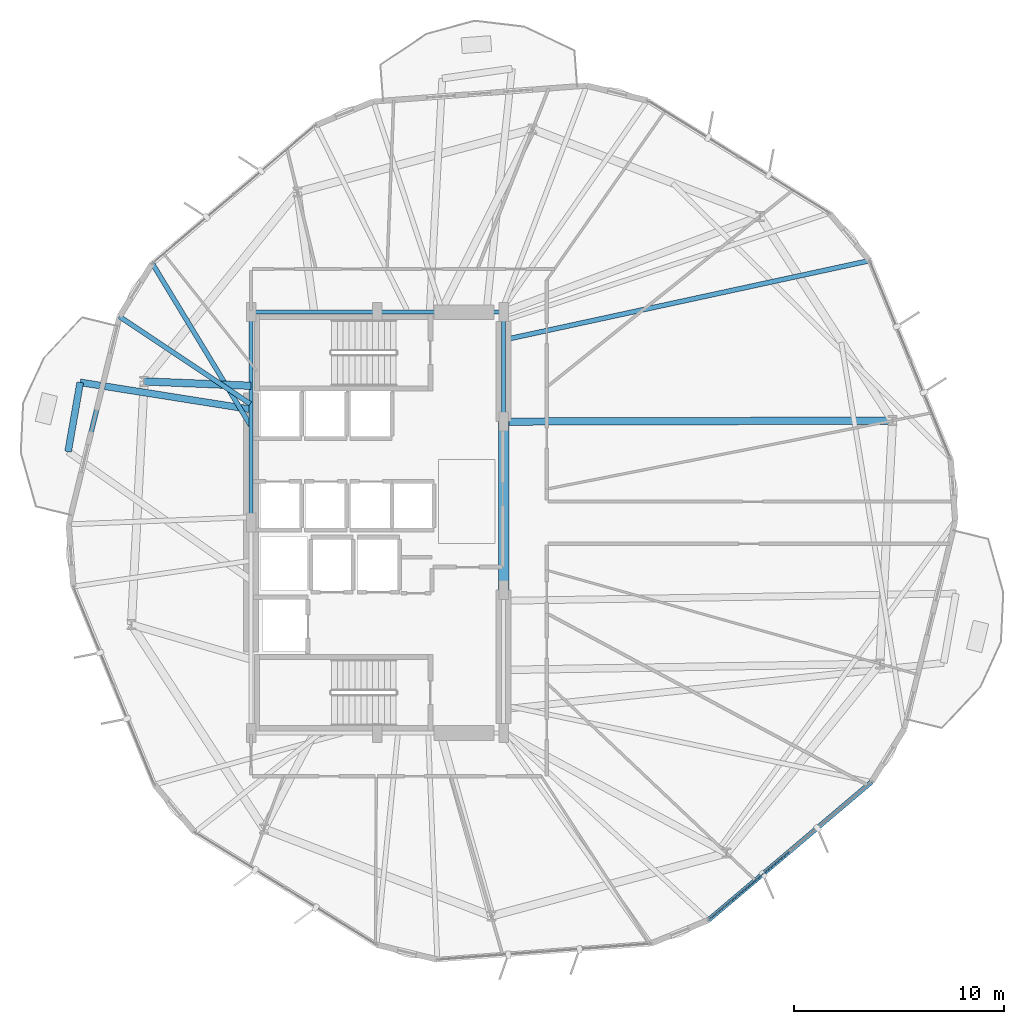
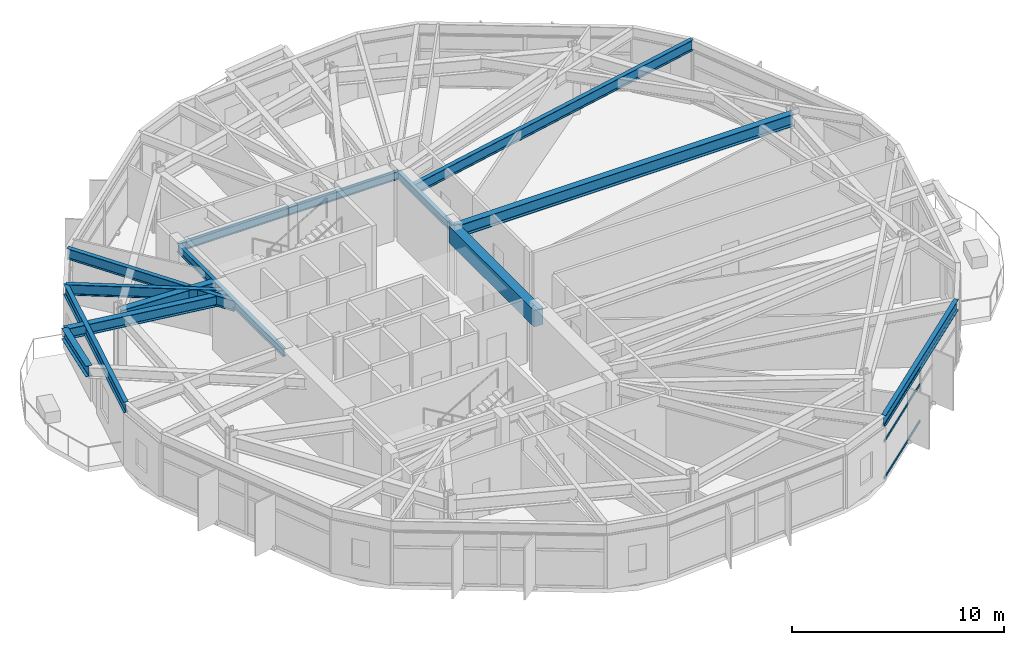
# One storey, part 8 of 22: 14 beams, 3 members, 1 element without a shape of its own.
"""IFC4 building model written with IfcOpenShell, lengths in metres."""

from ifc_helpers import new_model, si_unit, direction, frame, origin, origin_2d, place, context, subcontext, project, spatial, rectangle, hollow_rectangle, i_section, extrude, material, layer, layer_set, material_profile, profile_set, type_object, element, aggregate, save


model = new_model("IFC4")

# Units and contexts
model_context = context("Model", 3, precision=1e-05, world=origin(), true_north=direction((0.0, 1.0)))
body_context = subcontext(model_context, "Body", "Model", "MODEL_VIEW")
ifc_project = project(units=[si_unit("LENGTHUNIT", "METRE"), si_unit("AREAUNIT", "SQUARE_METRE"), si_unit("VOLUMEUNIT", "CUBIC_METRE"), si_unit("PLANEANGLEUNIT", "RADIAN"), si_unit("MASSUNIT", "GRAM", prefix="KILO")], contexts=[model_context])

# Site, building, storey
site_placement = place(None, origin())
site = spatial("IfcSite", under=ifc_project, at=site_placement, CompositionType="ELEMENT")
building_placement = place(site_placement, origin())
building = spatial("IfcBuilding", under=site, at=building_placement, Name="Soratama Intermodal Tower", CompositionType="ELEMENT")
storey_placement = place(building_placement, frame((0.0, 0.0, 46.60009765625)))
storey = spatial("IfcBuildingStorey", under=building, at=storey_placement, Name="L10", CompositionType="ELEMENT", Elevation=46.60009765625)

# Beams
ifc_material_1 = material(Name="Structural steel ASTM A992 Grade 50", Category="steel")
ifc_material_profile_1 = material_profile(ifc_material_1, i_section(OverallWidth=0.324951171875, OverallDepth=0.615966796875, WebThickness=0.013916015625, FlangeThickness=0.021484375, FilletRadius=0.013916015625, at=origin_2d()), Name="W24X117")
ifc_profile_set_1 = profile_set([ifc_material_profile_1], Name="Structural steel ASTM A992 Grade 50")
beam_type_1 = type_object("IfcBeamType", Name="BM-CANT-W24X117", PredefinedType="BEAM", material=ifc_profile_set_1)
beam_1_placement = place(storey_placement, frame((24.485107421875, 31.6630859375, 3.391845703125), z_axis=(-0.172118053483, -0.985076329867, 0.0), x_axis=(0.985076329867, -0.172118053483, 0.0)))
element("IfcBeam", 1, at=beam_1_placement, inside=storey, type_object=beam_type_1, Name="BM-L10-CBHDR-3", PredefinedType="BEAM", context=body_context, shape_type="SweptSolid", body=[
    extrude(i_section(OverallWidth=0.324951171875, OverallDepth=0.615966796875, WebThickness=0.013916015625, FlangeThickness=0.021484375, FilletRadius=0.013916015625, at=origin_2d()), origin(), (0.0, 0.0, 1.0), 3.341796875),
])
beam_2_placement = place(storey_placement, frame((32.56005859375, 30.385009765625, 3.391845703125), z_axis=(-0.987704785801, 0.15633059875, 0.0), x_axis=(-0.15633059875, -0.987704785801, 0.0)))
element("IfcBeam", 2, at=beam_2_placement, inside=storey, type_object=beam_type_1, Name="BM-L10-CANT-3-1", PredefinedType="BEAM", context=body_context, shape_type="SweptSolid", body=[
    extrude(i_section(OverallWidth=0.324951171875, OverallDepth=0.615966796875, WebThickness=0.013916015625, FlangeThickness=0.021484375, FilletRadius=0.013916015625, at=origin_2d()), origin(), (0.0, 0.0, 1.0), 8.175537109375),
])
ifc_material_2 = material(Name="Concrete f'c 56 MPa", Category="concrete")
ifc_material_profile_2 = material_profile(ifc_material_2, rectangle(XDim=0.5, YDim=0.949951171875, at=origin_2d()), Name="RC500X950")
ifc_profile_set_2 = profile_set([ifc_material_profile_2], Name="Concrete f'c 56 MPa")
beam_type_2 = type_object("IfcBeamType", Name="BM-CPL-RC500X950", PredefinedType="BEAM", material=ifc_profile_set_2)
beam_3_placement = place(storey_placement, frame((44.60009765625, 21.800048828125, 3.224853515625), z_axis=(0.0, 1.0, 0.0), x_axis=(-1.0, 0.0, 0.0)))
element("IfcBeam", 3, at=beam_3_placement, inside=storey, type_object=beam_type_2, Name="L10 Core Coupling Beam East", PredefinedType="BEAM", context=body_context, shape_type="SweptSolid", body=[
    extrude(rectangle(XDim=0.5, YDim=0.949951171875, at=origin_2d()), origin(), (0.0, 0.0, 1.0), 8.0),
])
ifc_material_3 = material(Name="Structural steel ASTM A992 Grade 50", Category="steel")
ifc_material_profile_3 = material_profile(ifc_material_3, i_section(OverallWidth=0.19091796875, OverallDepth=0.4599609375, WebThickness=0.010009765625, FlangeThickness=0.01611328125, FilletRadius=0.010986328125, at=origin_2d()), Name="W18X55")
ifc_profile_set_3 = profile_set([ifc_material_profile_3], Name="Structural steel ASTM A992 Grade 50")
beam_type_3 = type_object("IfcBeamType", Name="BM-FLR-W18X55", PredefinedType="BEAM", material=ifc_profile_set_3)
beam_4_placement = place(storey_placement, frame((44.60009765625, 29.800048828125, 3.469970703125), z_axis=(0.0, 1.0, 0.0), x_axis=(-1.0, 0.0, 0.0)))
element("IfcBeam", 4, at=beam_4_placement, inside=storey, type_object=beam_type_3, Name="BM-L10-CRING-05", PredefinedType="BEAM", context=body_context, shape_type="SweptSolid", body=[
    extrude(i_section(OverallWidth=0.19091796875, OverallDepth=0.4599609375, WebThickness=0.010009765625, FlangeThickness=0.01611328125, FilletRadius=0.010986328125, at=origin_2d()), origin(), (0.0, 0.0, 1.0), 5.199951171875),
])
for number, where, z_axis, x_axis, name in (
    (5, (44.60009765625, 35.0, 3.469970703125), (-1.0, 0.0, 0.0), (0.0, -1.0, 0.0), "BM-L10-CRING-06"),
    (6, (38.60009765625, 35.0, 3.469970703125), (-1.0, 0.0, 0.0), (0.0, -1.0, 0.0), "BM-L10-CRING-07"),
):
    element("IfcBeam", number, at=place(storey_placement, frame(where, z_axis=z_axis, x_axis=x_axis)), inside=storey, type_object=beam_type_3, Name=name, PredefinedType="BEAM", context=body_context, shape_type="SweptSolid", body=[
        extrude(i_section(OverallWidth=0.19091796875, OverallDepth=0.4599609375, WebThickness=0.010009765625, FlangeThickness=0.01611328125, FilletRadius=0.010986328125, at=origin_2d()), origin(), (0.0, 0.0, 1.0), 6.0),
    ])
beam_5_placement = place(storey_placement, frame((32.60009765625, 35.0, 3.469970703125), z_axis=(0.0, -1.0, 0.0), x_axis=(1.0, 0.0, 0.0)))
element("IfcBeam", 7, at=beam_5_placement, inside=storey, type_object=beam_type_3, Name="BM-L10-CRING-08", PredefinedType="BEAM", context=body_context, shape_type="SweptSolid", body=[
    extrude(i_section(OverallWidth=0.19091796875, OverallDepth=0.4599609375, WebThickness=0.010009765625, FlangeThickness=0.01611328125, FilletRadius=0.010986328125, at=origin_2d()), origin(), (0.0, 0.0, 1.0), 10.0),
])
ifc_material_4 = material(Name="Structural steel ASTM A992 Grade 50", Category="steel")
ifc_material_profile_4 = material_profile(ifc_material_4, i_section(OverallWidth=0.35498046875, OverallDepth=0.695068359375, WebThickness=0.015380859375, FlangeThickness=0.02490234375, FilletRadius=0.01611328125, at=origin_2d()), Name="W27X146")
ifc_profile_set_4 = profile_set([ifc_material_profile_4], Name="Structural steel ASTM A992 Grade 50")
beam_type_4 = type_object("IfcBeamType", Name="BM-RING-W27X146", PredefinedType="BEAM", material=ifc_profile_set_4)
beam_6_placement = place(storey_placement, frame((44.60009765625, 29.800048828125, 3.352294921875), z_axis=(0.999997046146, 0.002430575896, 0.0), x_axis=(-0.002430575896, 0.999997046146, 0.0)))
element("IfcBeam", 8, at=beam_6_placement, inside=storey, type_object=beam_type_4, Name="BM-L10-RAD-01", PredefinedType="BEAM", context=body_context, shape_type="SweptSolid", body=[
    extrude(i_section(OverallWidth=0.35498046875, OverallDepth=0.695068359375, WebThickness=0.015380859375, FlangeThickness=0.02490234375, FilletRadius=0.01611328125, at=origin_2d()), origin(), (0.0, 0.0, 1.0), 18.48193359375),
])
beam_7_placement = place(storey_placement, frame((32.60009765625, 31.5, 3.352294921875), z_axis=(-0.999153929645, 0.041126936131, 0.0), x_axis=(-0.041126936131, -0.999153929645, 0.0)))
element("IfcBeam", 9, at=beam_7_placement, inside=storey, type_object=beam_type_4, Name="BM-L10-RAD-05", PredefinedType="BEAM", context=body_context, shape_type="SweptSolid", body=[
    extrude(i_section(OverallWidth=0.35498046875, OverallDepth=0.695068359375, WebThickness=0.015380859375, FlangeThickness=0.02490234375, FilletRadius=0.01611328125, at=origin_2d()), origin(), (0.0, 0.0, 1.0), 5.08154296875),
])
ifc_material_5 = material(Name="Structural steel ASTM A992 Grade 50", Category="steel")
ifc_material_profile_5 = material_profile(ifc_material_5, i_section(OverallWidth=0.22900390625, OverallDepth=0.612060546875, WebThickness=0.011962890625, FlangeThickness=0.01953125, FilletRadius=0.012939453125, at=origin_2d()), Name="W24X84")
ifc_profile_set_5 = profile_set([ifc_material_profile_5], Name="Structural steel ASTM A992 Grade 50")
beam_type_5 = type_object("IfcBeamType", Name="BM-SPN-W24X84", PredefinedType="SPANDREL", material=ifc_profile_set_5)
beam_8_placement = place(storey_placement, frame((26.34912109375, 34.79296875, 3.393798828125), z_axis=(-0.237469205493, -0.971395067129, 0.0), x_axis=(0.971395067129, -0.237469205493, 0.0)))
element("IfcBeam", 10, at=beam_8_placement, inside=storey, type_object=beam_type_5, Name="BS-L10-F05", PredefinedType="SPANDREL", context=body_context, shape_type="SweptSolid", body=[
    extrude(i_section(OverallWidth=0.22900390625, OverallDepth=0.612060546875, WebThickness=0.011962890625, FlangeThickness=0.01953125, FilletRadius=0.012939453125, at=origin_2d()), origin(), (0.0, 0.0, 1.0), 10.165771484375),
])
beam_9_placement = place(storey_placement, frame((54.3330078125, 6.114990234375, 3.393798828125), z_axis=(0.763123846472, 0.646252268813, 0.0), x_axis=(-0.646252268813, 0.763123846472, 0.0)))
element("IfcBeam", 11, at=beam_9_placement, inside=storey, type_object=beam_type_5, Name="BS-L10-F09", PredefinedType="SPANDREL", context=body_context, shape_type="SweptSolid", body=[
    extrude(i_section(OverallWidth=0.22900390625, OverallDepth=0.612060546875, WebThickness=0.011962890625, FlangeThickness=0.01953125, FilletRadius=0.012939453125, at=origin_2d()), origin(), (0.0, 0.0, 1.0), 10.164794921875),
])
ifc_material_6 = material(Name="Structural steel ASTM A992 Grade 50", Category="steel")
ifc_material_profile_6 = material_profile(ifc_material_6, i_section(OverallWidth=0.22900390625, OverallDepth=0.612060546875, WebThickness=0.011962890625, FlangeThickness=0.01953125, FilletRadius=0.012939453125, at=origin_2d()), Name="W24X84")
ifc_profile_set_6 = profile_set([ifc_material_profile_6], Name="Structural steel ASTM A992 Grade 50")
beam_type_6 = type_object("IfcBeamType", Name="BM-TIE-W24X84", PredefinedType="BEAM", material=ifc_profile_set_6)
beam_10_placement = place(storey_placement, frame((44.638916015625, 33.68798828125, 3.393798828125), z_axis=(0.977325890374, 0.211740652697, 0.0), x_axis=(-0.211740652697, 0.977325890374, 0.0)))
element("IfcBeam", 12, at=beam_10_placement, inside=storey, type_object=beam_type_6, Name="BM-L10-TIE1-01", PredefinedType="BEAM", context=body_context, shape_type="SweptSolid", body=[
    extrude(i_section(OverallWidth=0.22900390625, OverallDepth=0.612060546875, WebThickness=0.011962890625, FlangeThickness=0.01953125, FilletRadius=0.012939453125, at=origin_2d()), origin(), (0.0, 0.0, 1.0), 17.757568359375),
])
beam_11_placement = place(storey_placement, frame((32.5791015625, 29.613037109375, 3.393798828125), z_axis=(-0.518364787553, 0.855159603247, 0.0), x_axis=(-0.855159603247, -0.518364787553, 0.0)))
element("IfcBeam", 13, at=beam_11_placement, inside=storey, type_object=beam_type_6, Name="BM-L10-TIE1-04", PredefinedType="BEAM", context=body_context, shape_type="SweptSolid", body=[
    extrude(i_section(OverallWidth=0.22900390625, OverallDepth=0.612060546875, WebThickness=0.011962890625, FlangeThickness=0.01953125, FilletRadius=0.012939453125, at=origin_2d()), origin(), (0.0, 0.0, 1.0), 9.007568359375),
])
beam_12_placement = place(storey_placement, frame((32.56689453125, 30.64599609375, 3.393798828125), z_axis=(-0.831939715694, 0.55486602838, 0.0), x_axis=(-0.55486602838, -0.831939715694, 0.0)))
element("IfcBeam", 14, at=beam_12_placement, inside=storey, type_object=beam_type_6, Name="BM-L10-TIE0-05", PredefinedType="BEAM", context=body_context, shape_type="SweptSolid", body=[
    extrude(i_section(OverallWidth=0.22900390625, OverallDepth=0.612060546875, WebThickness=0.011962890625, FlangeThickness=0.01953125, FilletRadius=0.012939453125, at=origin_2d()), origin(), (0.0, 0.0, 1.0), 7.473876953125),
])

# Curtain wall, members
ifc_material_7 = material(Name="Double-glazed aluminium curtain wall", Category="aluminium")
ifc_layer = layer(ifc_material_7, 0.159912109375)
ifc_layer_set = layer_set([ifc_layer], Name="Double-glazed aluminium curtain wall")
curtain_wall_type = type_object("IfcCurtainWallType", Name="CW-SYS-2", PredefinedType="NOTDEFINED", material=ifc_layer_set)
curtain_wall_placement = place(storey_placement, origin())
curtain_wall = element("IfcCurtainWall", 15, at=curtain_wall_placement, inside=storey, type_object=curtain_wall_type, Name="L10 Faceted Curtain Wall F09", PredefinedType="NOTDEFINED")
ifc_material_8 = material(Name="Anodised aluminium AA 6063-T6", Category="aluminium")
ifc_material_profile_7 = material_profile(ifc_material_8, hollow_rectangle(XDim=0.06494140625, YDim=0.14990234375, WallThickness=0.0048828125, InnerFilletRadius=0.0048828125, OuterFilletRadius=0.010009765625, at=origin_2d()), Name="CWT150X65X5")
ifc_profile_set_7 = profile_set([ifc_material_profile_7], Name="Anodised aluminium AA 6063-T6")
member_type = type_object("IfcMemberType", Name="TT-CWT-1", PredefinedType="USERDEFINED", material=ifc_profile_set_7)
member_1_placement = place(storey_placement, frame((54.37841796875, 6.15380859375, 0.02978515625), z_axis=(0.763122840037, 0.646253457255, 0.0), x_axis=(-0.646253457255, 0.763122840037, 0.0)))
member_1 = element("IfcMember", 16, at=member_1_placement, type_object=member_type, Name="CW-2 transom 1.1", ObjectType="TRANSOM", PredefinedType="USERDEFINED", context=body_context, shape_type="SweptSolid", body=[
    extrude(hollow_rectangle(XDim=0.06494140625, YDim=0.14990234375, WallThickness=0.0048828125, InnerFilletRadius=0.0048828125, OuterFilletRadius=0.010009765625, at=origin_2d()), origin(), (0.0, 0.0, 1.0), 4.99267578125),
])
member_2_placement = place(storey_placement, frame((54.37841796875, 6.15380859375, 2.14990234375), z_axis=(0.763122840037, 0.646253457255, 0.0), x_axis=(-0.646253457255, 0.763122840037, 0.0)))
member_2 = element("IfcMember", 17, at=member_2_placement, type_object=member_type, Name="CW-2 transom 1.2", ObjectType="TRANSOM", PredefinedType="USERDEFINED", context=body_context, shape_type="SweptSolid", body=[
    extrude(hollow_rectangle(XDim=0.06494140625, YDim=0.14990234375, WallThickness=0.0048828125, InnerFilletRadius=0.0048828125, OuterFilletRadius=0.010009765625, at=origin_2d()), origin(), (0.0, 0.0, 1.0), 4.99267578125),
])
member_3_placement = place(storey_placement, frame((54.37841796875, 6.15380859375, 3.048828125), z_axis=(0.763122840037, 0.646253457255, 0.0), x_axis=(-0.646253457255, 0.763122840037, 0.0)))
member_3 = element("IfcMember", 18, at=member_3_placement, type_object=member_type, Name="CW-2 transom 1.3", ObjectType="TRANSOM", PredefinedType="USERDEFINED", context=body_context, shape_type="SweptSolid", body=[
    extrude(hollow_rectangle(XDim=0.06494140625, YDim=0.14990234375, WallThickness=0.0048828125, InnerFilletRadius=0.0048828125, OuterFilletRadius=0.010009765625, at=origin_2d()), origin(), (0.0, 0.0, 1.0), 4.99267578125),
])
aggregate(curtain_wall, [member_1, member_2, member_3])

save(model, "model.ifc")
